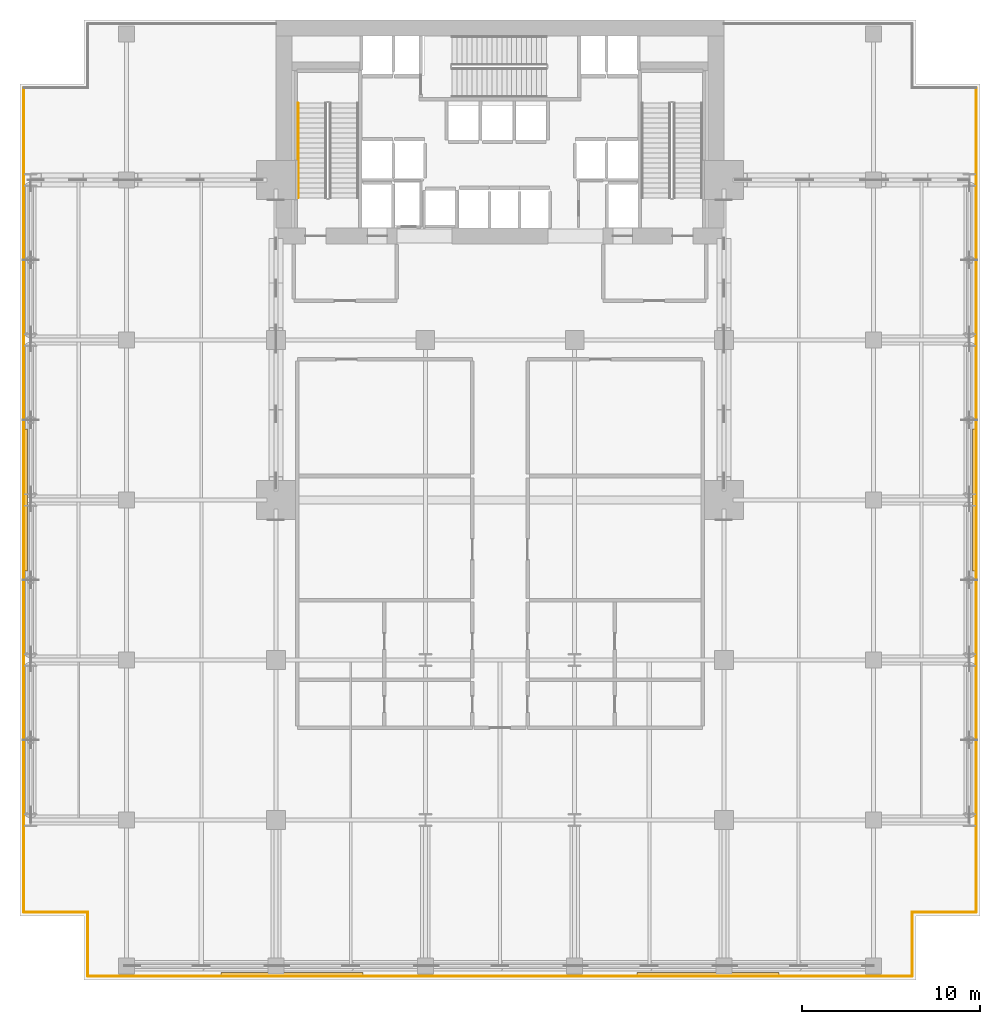
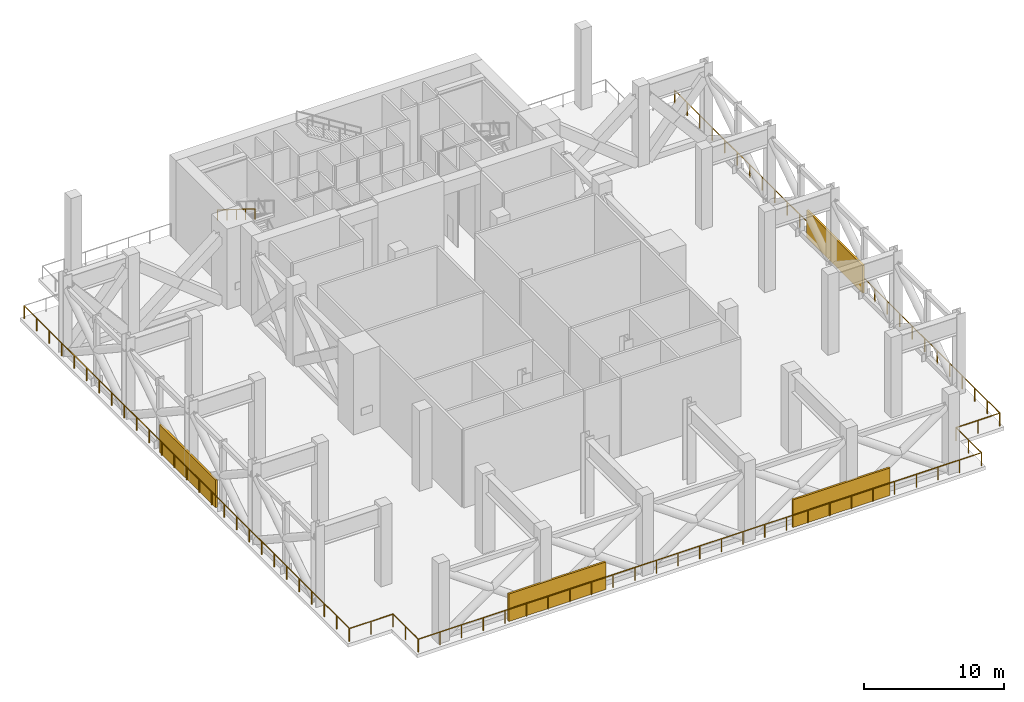
# One storey, part 14 of 16: 8 railings, 4 shading devices.
"""IFC4 building model written with IfcOpenShell, lengths in metres."""

from ifc_helpers import new_model, si_unit, direction, frame, origin, origin_2d, place, context, subcontext, project, spatial, rectangle, circle, extrude, material, layer, layer_set, type_object, element, save


model = new_model("IFC4")

# Units and contexts
model_context = context("Model", 3, precision=1e-05, world=origin(), true_north=direction((0.0, 1.0)))
body_context = subcontext(model_context, "Body", "Model", "MODEL_VIEW")
ifc_project = project(units=[si_unit("LENGTHUNIT", "METRE"), si_unit("AREAUNIT", "SQUARE_METRE"), si_unit("VOLUMEUNIT", "CUBIC_METRE"), si_unit("PLANEANGLEUNIT", "RADIAN"), si_unit("MASSUNIT", "GRAM", prefix="KILO")], contexts=[model_context])

# Site, building, storey
site_placement = place(None, origin())
site = spatial("IfcSite", under=ifc_project, at=site_placement, CompositionType="ELEMENT")
building_placement = place(site_placement, origin())
building = spatial("IfcBuilding", under=site, at=building_placement, Name="Maruvema Waterfront Hotel and Observation Tower", CompositionType="ELEMENT")
storey_placement = place(building_placement, frame((0.0, 0.0, 115.5)))
storey = spatial("IfcBuildingStorey", under=building, at=storey_placement, Name="L28", CompositionType="ELEMENT", Elevation=115.5)

# Shading devices
ifc_material_1 = material(Name="Anodised architectural bronze aluminium", Category="aluminium")
ifc_layer = layer(ifc_material_1, 0.14990234375, Name="Acoustic Weatherproof Plant Louvre Panel 150 mm")
ifc_layer_set = layer_set([ifc_layer], Name="Anodised architectural bronze aluminium")
shading_device_type = type_object("IfcShadingDeviceType", Name="Acoustic Weatherproof Plant Louvre Panel 150 mm", PredefinedType="JALOUSIE", material=ifc_layer_set)
for number, where, z_axis, x_axis, name in (
    (1, (26.10009765625, 0.35009765625, 0.0), (0.0, 0.0, 1.0), (1.0, 0.0, 0.0), "L28 Wind-Floor Acoustic Weather Louvre S1"),
    (2, (49.5, 0.35009765625, 0.0), (0.0, 0.0, 1.0), (1.0, 0.0, 0.0), "L28 Wind-Floor Acoustic Weather Louvre S2"),
    (3, (11.14990234375, 27.0, 0.0), (0.0, 0.0, 1.0), (0.0, 1.0, 0.0), "L28 Wind-Floor Acoustic Weather Louvre W1"),
    (4, (64.449951171875, 27.0, 0.0), (0.0, 0.0, 1.0), (0.0, 1.0, 0.0), "L28 Wind-Floor Acoustic Weather Louvre E1"),
):
    element("IfcShadingDevice", number, at=place(storey_placement, frame(where, z_axis=z_axis, x_axis=x_axis)), inside=storey, type_object=shading_device_type, Name=name, PredefinedType="JALOUSIE", context=body_context, shape_type="SweptSolid", body=[
        extrude(rectangle(XDim=8.0, YDim=0.159912109375, at=origin_2d()), origin(), (0.0, 0.0, 1.0), 2.39990234375),
    ])

# Railings
ifc_material_2 = material(Name="Brushed stainless steel Grade 316", Category="steel")
railing_type_1 = type_object("IfcRailingType", Name="Ramp Continuous Wall Handrail 920 mm", PredefinedType="HANDRAIL", material=ifc_material_2)
railing_1_placement = place(storey_placement, frame((26.449951171875, 49.320068359375, 3.675048828125)))
element("IfcRailing", 5, at=railing_1_placement, inside=storey, type_object=railing_type_1, Name="L28 ST-01 stair handrail 2", PredefinedType="HANDRAIL", context=body_context, shape_type="SweptSolid", body=[
    extrude(circle(Radius=0.02392578125, at=origin_2d()), frame((0.0, 0.0, 0.89599609375), z_axis=(0.0, -0.848004862711, 0.52998844593), x_axis=(1.0, 0.0, 0.0)), (0.0, 0.0, 1.0), 6.273681640625),
    extrude(circle(Radius=0.02099609375, at=origin_2d()), origin(), (0.0, 0.0, 1.0), 0.871826171875),
    extrude(circle(Radius=0.02099609375, at=origin_2d()), frame((0.0, -1.330078125, 0.831298828125)), (0.0, 0.0, 1.0), 0.871826171875),
    extrude(circle(Radius=0.02099609375, at=origin_2d()), frame((0.0, -2.66015625, 1.66259765625)), (0.0, 0.0, 1.0), 0.871826171875),
    extrude(circle(Radius=0.02099609375, at=origin_2d()), frame((0.0, -3.989990234375, 2.49365234375)), (0.0, 0.0, 1.0), 0.871826171875),
    extrude(circle(Radius=0.02099609375, at=origin_2d()), frame((0.0, -5.320068359375, 3.324951171875)), (0.0, 0.0, 1.0), 0.871826171875),
])
ifc_material_3 = material(Name="Duplex stainless steel Grade 2205 and laminated glass", Category="steel")
railing_type_2 = type_object("IfcRailingType", Name="Wind-Floor Open Deck Safety Balustrade 1150 mm", PredefinedType="BALUSTRADE", material=ifc_material_3)
railing_2_placement = place(storey_placement, frame((14.6201171875, 0.219970703125, 0.0)))
element("IfcRailing", 6, at=railing_2_placement, inside=storey, type_object=railing_type_2, Name="L28 Perimeter Safety Balustrade 1", PredefinedType="BALUSTRADE", context=body_context, shape_type="SweptSolid", body=[
    extrude(circle(Radius=0.02392578125, at=origin_2d()), frame((0.0, 0.0, 1.1259765625), z_axis=(0.0, 1.0, 0.0), x_axis=(-1.0, 0.0, 0.0)), (0.0, 0.0, 1.0), 3.60009765625),
    extrude(circle(Radius=0.02099609375, at=origin_2d()), origin(), (0.0, 0.0, 1.0), 1.101806640625),
    extrude(circle(Radius=0.02099609375, at=origin_2d()), frame((0.0, 1.800048828125, 0.0)), (0.0, 0.0, 1.0), 1.101806640625),
    extrude(circle(Radius=0.02099609375, at=origin_2d()), frame((0.0, 3.60009765625, 0.0)), (0.0, 0.0, 1.0), 1.101806640625),
])
railing_3_placement = place(storey_placement, frame((14.6201171875, 3.820068359375, 0.0)))
element("IfcRailing", 7, at=railing_3_placement, inside=storey, type_object=railing_type_2, Name="L28 Perimeter Safety Balustrade 2", PredefinedType="BALUSTRADE", context=body_context, shape_type="SweptSolid", body=[
    extrude(circle(Radius=0.02392578125, at=origin_2d()), frame((0.0, 0.0, 1.1259765625), z_axis=(-1.0, 0.0, 0.0), x_axis=(0.0, -1.0, 0.0)), (0.0, 0.0, 1.0), 3.60009765625),
    extrude(circle(Radius=0.02099609375, at=origin_2d()), origin(), (0.0, 0.0, 1.0), 1.101806640625),
    extrude(circle(Radius=0.02099609375, at=origin_2d()), frame((-1.800048828125, 0.0, 0.0)), (0.0, 0.0, 1.0), 1.101806640625),
    extrude(circle(Radius=0.02099609375, at=origin_2d()), frame((-3.60009765625, 0.0, 0.0)), (0.0, 0.0, 1.0), 1.101806640625),
])
railing_4_placement = place(storey_placement, frame((11.02001953125, 3.820068359375, 0.0)))
element("IfcRailing", 8, at=railing_4_placement, inside=storey, type_object=railing_type_2, Name="L28 Perimeter Safety Balustrade 3", PredefinedType="BALUSTRADE", context=body_context, shape_type="SweptSolid", body=[
    extrude(circle(Radius=0.02392578125, at=origin_2d()), frame((0.0, 0.0, 1.1259765625), z_axis=(0.0, 1.0, 0.0), x_axis=(-1.0, 0.0, 0.0)), (0.0, 0.0, 1.0), 46.35986328125),
    extrude(circle(Radius=0.02099609375, at=origin_2d()), origin(), (0.0, 0.0, 1.0), 1.101806640625),
    extrude(circle(Radius=0.02099609375, at=origin_2d()), frame((0.0, 1.782958984375, 0.0)), (0.0, 0.0, 1.0), 1.101806640625),
    extrude(circle(Radius=0.02099609375, at=origin_2d()), frame((0.0, 3.566162109375, 0.0)), (0.0, 0.0, 1.0), 1.101806640625),
    extrude(circle(Radius=0.02099609375, at=origin_2d()), frame((0.0, 5.34912109375, 0.0)), (0.0, 0.0, 1.0), 1.101806640625),
    extrude(circle(Radius=0.02099609375, at=origin_2d()), frame((0.0, 7.13232421875, 0.0)), (0.0, 0.0, 1.0), 1.101806640625),
    extrude(circle(Radius=0.02099609375, at=origin_2d()), frame((0.0, 8.915283203125, 0.0)), (0.0, 0.0, 1.0), 1.101806640625),
    extrude(circle(Radius=0.02099609375, at=origin_2d()), frame((0.0, 10.698486328125, 0.0)), (0.0, 0.0, 1.0), 1.101806640625),
    extrude(circle(Radius=0.02099609375, at=origin_2d()), frame((0.0, 12.4814453125, 0.0)), (0.0, 0.0, 1.0), 1.101806640625),
    extrude(circle(Radius=0.02099609375, at=origin_2d()), frame((0.0, 14.2646484375, 0.0)), (0.0, 0.0, 1.0), 1.101806640625),
    extrude(circle(Radius=0.02099609375, at=origin_2d()), frame((0.0, 16.047607421875, 0.0)), (0.0, 0.0, 1.0), 1.101806640625),
    extrude(circle(Radius=0.02099609375, at=origin_2d()), frame((0.0, 17.830810546875, 0.0)), (0.0, 0.0, 1.0), 1.101806640625),
    extrude(circle(Radius=0.02099609375, at=origin_2d()), frame((0.0, 19.61376953125, 0.0)), (0.0, 0.0, 1.0), 1.101806640625),
    extrude(circle(Radius=0.02099609375, at=origin_2d()), frame((0.0, 21.39697265625, 0.0)), (0.0, 0.0, 1.0), 1.101806640625),
    extrude(circle(Radius=0.02099609375, at=origin_2d()), frame((0.0, 23.179931640625, 0.0)), (0.0, 0.0, 1.0), 1.101806640625),
    extrude(circle(Radius=0.02099609375, at=origin_2d()), frame((0.0, 24.962890625, 0.0)), (0.0, 0.0, 1.0), 1.101806640625),
    extrude(circle(Radius=0.02099609375, at=origin_2d()), frame((0.0, 26.74609375, 0.0)), (0.0, 0.0, 1.0), 1.101806640625),
    extrude(circle(Radius=0.02099609375, at=origin_2d()), frame((0.0, 28.529052734375, 0.0)), (0.0, 0.0, 1.0), 1.101806640625),
    extrude(circle(Radius=0.02099609375, at=origin_2d()), frame((0.0, 30.312255859375, 0.0)), (0.0, 0.0, 1.0), 1.101806640625),
    extrude(circle(Radius=0.02099609375, at=origin_2d()), frame((0.0, 32.09521484375, 0.0)), (0.0, 0.0, 1.0), 1.101806640625),
    extrude(circle(Radius=0.02099609375, at=origin_2d()), frame((0.0, 33.87841796875, 0.0)), (0.0, 0.0, 1.0), 1.101806640625),
    extrude(circle(Radius=0.02099609375, at=origin_2d()), frame((0.0, 35.661376953125, 0.0)), (0.0, 0.0, 1.0), 1.101806640625),
    extrude(circle(Radius=0.02099609375, at=origin_2d()), frame((0.0, 37.444580078125, 0.0)), (0.0, 0.0, 1.0), 1.101806640625),
    extrude(circle(Radius=0.02099609375, at=origin_2d()), frame((0.0, 39.2275390625, 0.0)), (0.0, 0.0, 1.0), 1.101806640625),
    extrude(circle(Radius=0.02099609375, at=origin_2d()), frame((0.0, 41.0107421875, 0.0)), (0.0, 0.0, 1.0), 1.101806640625),
    extrude(circle(Radius=0.02099609375, at=origin_2d()), frame((0.0, 42.793701171875, 0.0)), (0.0, 0.0, 1.0), 1.101806640625),
    extrude(circle(Radius=0.02099609375, at=origin_2d()), frame((0.0, 44.576904296875, 0.0)), (0.0, 0.0, 1.0), 1.101806640625),
    extrude(circle(Radius=0.02099609375, at=origin_2d()), frame((0.0, 46.35986328125, 0.0)), (0.0, 0.0, 1.0), 1.101806640625),
])
railing_5_placement = place(storey_placement, frame((64.580078125, 50.179931640625, 0.0)))
element("IfcRailing", 9, at=railing_5_placement, inside=storey, type_object=railing_type_2, Name="L28 Perimeter Safety Balustrade 10", PredefinedType="BALUSTRADE", context=body_context, shape_type="SweptSolid", body=[
    extrude(circle(Radius=0.02392578125, at=origin_2d()), frame((0.0, 0.0, 1.1259765625), z_axis=(0.0, -1.0, 0.0), x_axis=(1.0, 0.0, 0.0)), (0.0, 0.0, 1.0), 46.35986328125),
    extrude(circle(Radius=0.02099609375, at=origin_2d()), origin(), (0.0, 0.0, 1.0), 1.101806640625),
    extrude(circle(Radius=0.02099609375, at=origin_2d()), frame((0.0, -1.782958984375, 0.0)), (0.0, 0.0, 1.0), 1.101806640625),
    extrude(circle(Radius=0.02099609375, at=origin_2d()), frame((0.0, -3.566162109375, 0.0)), (0.0, 0.0, 1.0), 1.101806640625),
    extrude(circle(Radius=0.02099609375, at=origin_2d()), frame((0.0, -5.34912109375, 0.0)), (0.0, 0.0, 1.0), 1.101806640625),
    extrude(circle(Radius=0.02099609375, at=origin_2d()), frame((0.0, -7.13232421875, 0.0)), (0.0, 0.0, 1.0), 1.101806640625),
    extrude(circle(Radius=0.02099609375, at=origin_2d()), frame((0.0, -8.915283203125, 0.0)), (0.0, 0.0, 1.0), 1.101806640625),
    extrude(circle(Radius=0.02099609375, at=origin_2d()), frame((0.0, -10.698486328125, 0.0)), (0.0, 0.0, 1.0), 1.101806640625),
    extrude(circle(Radius=0.02099609375, at=origin_2d()), frame((0.0, -12.4814453125, 0.0)), (0.0, 0.0, 1.0), 1.101806640625),
    extrude(circle(Radius=0.02099609375, at=origin_2d()), frame((0.0, -14.2646484375, 0.0)), (0.0, 0.0, 1.0), 1.101806640625),
    extrude(circle(Radius=0.02099609375, at=origin_2d()), frame((0.0, -16.047607421875, 0.0)), (0.0, 0.0, 1.0), 1.101806640625),
    extrude(circle(Radius=0.02099609375, at=origin_2d()), frame((0.0, -17.830810546875, 0.0)), (0.0, 0.0, 1.0), 1.101806640625),
    extrude(circle(Radius=0.02099609375, at=origin_2d()), frame((0.0, -19.61376953125, 0.0)), (0.0, 0.0, 1.0), 1.101806640625),
    extrude(circle(Radius=0.02099609375, at=origin_2d()), frame((0.0, -21.39697265625, 0.0)), (0.0, 0.0, 1.0), 1.101806640625),
    extrude(circle(Radius=0.02099609375, at=origin_2d()), frame((0.0, -23.179931640625, 0.0)), (0.0, 0.0, 1.0), 1.101806640625),
    extrude(circle(Radius=0.02099609375, at=origin_2d()), frame((0.0, -24.962890625, 0.0)), (0.0, 0.0, 1.0), 1.101806640625),
    extrude(circle(Radius=0.02099609375, at=origin_2d()), frame((0.0, -26.74609375, 0.0)), (0.0, 0.0, 1.0), 1.101806640625),
    extrude(circle(Radius=0.02099609375, at=origin_2d()), frame((0.0, -28.529052734375, 0.0)), (0.0, 0.0, 1.0), 1.101806640625),
    extrude(circle(Radius=0.02099609375, at=origin_2d()), frame((0.0, -30.312255859375, 0.0)), (0.0, 0.0, 1.0), 1.101806640625),
    extrude(circle(Radius=0.02099609375, at=origin_2d()), frame((0.0, -32.09521484375, 0.0)), (0.0, 0.0, 1.0), 1.101806640625),
    extrude(circle(Radius=0.02099609375, at=origin_2d()), frame((0.0, -33.87841796875, 0.0)), (0.0, 0.0, 1.0), 1.101806640625),
    extrude(circle(Radius=0.02099609375, at=origin_2d()), frame((0.0, -35.661376953125, 0.0)), (0.0, 0.0, 1.0), 1.101806640625),
    extrude(circle(Radius=0.02099609375, at=origin_2d()), frame((0.0, -37.444580078125, 0.0)), (0.0, 0.0, 1.0), 1.101806640625),
    extrude(circle(Radius=0.02099609375, at=origin_2d()), frame((0.0, -39.2275390625, 0.0)), (0.0, 0.0, 1.0), 1.101806640625),
    extrude(circle(Radius=0.02099609375, at=origin_2d()), frame((0.0, -41.0107421875, 0.0)), (0.0, 0.0, 1.0), 1.101806640625),
    extrude(circle(Radius=0.02099609375, at=origin_2d()), frame((0.0, -42.793701171875, 0.0)), (0.0, 0.0, 1.0), 1.101806640625),
    extrude(circle(Radius=0.02099609375, at=origin_2d()), frame((0.0, -44.576904296875, 0.0)), (0.0, 0.0, 1.0), 1.101806640625),
    extrude(circle(Radius=0.02099609375, at=origin_2d()), frame((0.0, -46.35986328125, 0.0)), (0.0, 0.0, 1.0), 1.101806640625),
])
railing_6_placement = place(storey_placement, frame((64.580078125, 3.820068359375, 0.0)))
element("IfcRailing", 10, at=railing_6_placement, inside=storey, type_object=railing_type_2, Name="L28 Perimeter Safety Balustrade 11", PredefinedType="BALUSTRADE", context=body_context, shape_type="SweptSolid", body=[
    extrude(circle(Radius=0.02392578125, at=origin_2d()), frame((0.0, 0.0, 1.1259765625), z_axis=(-1.0, 0.0, 0.0), x_axis=(0.0, -1.0, 0.0)), (0.0, 0.0, 1.0), 3.60009765625),
    extrude(circle(Radius=0.02099609375, at=origin_2d()), origin(), (0.0, 0.0, 1.0), 1.101806640625),
    extrude(circle(Radius=0.02099609375, at=origin_2d()), frame((-1.800048828125, 0.0, 0.0)), (0.0, 0.0, 1.0), 1.101806640625),
    extrude(circle(Radius=0.02099609375, at=origin_2d()), frame((-3.60009765625, 0.0, 0.0)), (0.0, 0.0, 1.0), 1.101806640625),
])
railing_7_placement = place(storey_placement, frame((60.97998046875, 3.820068359375, 0.0)))
element("IfcRailing", 11, at=railing_7_placement, inside=storey, type_object=railing_type_2, Name="L28 Perimeter Safety Balustrade 12", PredefinedType="BALUSTRADE", context=body_context, shape_type="SweptSolid", body=[
    extrude(circle(Radius=0.02392578125, at=origin_2d()), frame((0.0, 0.0, 1.1259765625), z_axis=(0.0, -1.0, 0.0), x_axis=(1.0, 0.0, 0.0)), (0.0, 0.0, 1.0), 3.60009765625),
    extrude(circle(Radius=0.02099609375, at=origin_2d()), origin(), (0.0, 0.0, 1.0), 1.101806640625),
    extrude(circle(Radius=0.02099609375, at=origin_2d()), frame((0.0, -1.800048828125, 0.0)), (0.0, 0.0, 1.0), 1.101806640625),
    extrude(circle(Radius=0.02099609375, at=origin_2d()), frame((0.0, -3.60009765625, 0.0)), (0.0, 0.0, 1.0), 1.101806640625),
])
railing_8_placement = place(storey_placement, frame((60.97998046875, 0.219970703125, 0.0)))
element("IfcRailing", 12, at=railing_8_placement, inside=storey, type_object=railing_type_2, Name="L28 Perimeter Safety Balustrade 13", PredefinedType="BALUSTRADE", context=body_context, shape_type="SweptSolid", body=[
    extrude(circle(Radius=0.02392578125, at=origin_2d()), frame((0.0, 0.0, 1.1259765625), z_axis=(-1.0, 0.0, 0.0), x_axis=(0.0, -1.0, 0.0)), (0.0, 0.0, 1.0), 46.35986328125),
    extrude(circle(Radius=0.02099609375, at=origin_2d()), origin(), (0.0, 0.0, 1.0), 1.101806640625),
    extrude(circle(Radius=0.02099609375, at=origin_2d()), frame((-1.782958984375, 0.0, 0.0)), (0.0, 0.0, 1.0), 1.101806640625),
    extrude(circle(Radius=0.02099609375, at=origin_2d()), frame((-3.566162109375, 0.0, 0.0)), (0.0, 0.0, 1.0), 1.101806640625),
    extrude(circle(Radius=0.02099609375, at=origin_2d()), frame((-5.34912109375, 0.0, 0.0)), (0.0, 0.0, 1.0), 1.101806640625),
    extrude(circle(Radius=0.02099609375, at=origin_2d()), frame((-7.13232421875, 0.0, 0.0)), (0.0, 0.0, 1.0), 1.101806640625),
    extrude(circle(Radius=0.02099609375, at=origin_2d()), frame((-8.915283203125, 0.0, 0.0)), (0.0, 0.0, 1.0), 1.101806640625),
    extrude(circle(Radius=0.02099609375, at=origin_2d()), frame((-10.698486328125, 0.0, 0.0)), (0.0, 0.0, 1.0), 1.101806640625),
    extrude(circle(Radius=0.02099609375, at=origin_2d()), frame((-12.4814453125, 0.0, 0.0)), (0.0, 0.0, 1.0), 1.101806640625),
    extrude(circle(Radius=0.02099609375, at=origin_2d()), frame((-14.2646484375, 0.0, 0.0)), (0.0, 0.0, 1.0), 1.101806640625),
    extrude(circle(Radius=0.02099609375, at=origin_2d()), frame((-16.047607421875, 0.0, 0.0)), (0.0, 0.0, 1.0), 1.101806640625),
    extrude(circle(Radius=0.02099609375, at=origin_2d()), frame((-17.830810546875, 0.0, 0.0)), (0.0, 0.0, 1.0), 1.101806640625),
    extrude(circle(Radius=0.02099609375, at=origin_2d()), frame((-19.61376953125, 0.0, 0.0)), (0.0, 0.0, 1.0), 1.101806640625),
    extrude(circle(Radius=0.02099609375, at=origin_2d()), frame((-21.39697265625, 0.0, 0.0)), (0.0, 0.0, 1.0), 1.101806640625),
    extrude(circle(Radius=0.02099609375, at=origin_2d()), frame((-23.179931640625, 0.0, 0.0)), (0.0, 0.0, 1.0), 1.101806640625),
    extrude(circle(Radius=0.02099609375, at=origin_2d()), frame((-24.962890625, 0.0, 0.0)), (0.0, 0.0, 1.0), 1.101806640625),
    extrude(circle(Radius=0.02099609375, at=origin_2d()), frame((-26.74609375, 0.0, 0.0)), (0.0, 0.0, 1.0), 1.101806640625),
    extrude(circle(Radius=0.02099609375, at=origin_2d()), frame((-28.529052734375, 0.0, 0.0)), (0.0, 0.0, 1.0), 1.101806640625),
    extrude(circle(Radius=0.02099609375, at=origin_2d()), frame((-30.312255859375, 0.0, 0.0)), (0.0, 0.0, 1.0), 1.101806640625),
    extrude(circle(Radius=0.02099609375, at=origin_2d()), frame((-32.09521484375, 0.0, 0.0)), (0.0, 0.0, 1.0), 1.101806640625),
    extrude(circle(Radius=0.02099609375, at=origin_2d()), frame((-33.87841796875, 0.0, 0.0)), (0.0, 0.0, 1.0), 1.101806640625),
    extrude(circle(Radius=0.02099609375, at=origin_2d()), frame((-35.661376953125, 0.0, 0.0)), (0.0, 0.0, 1.0), 1.101806640625),
    extrude(circle(Radius=0.02099609375, at=origin_2d()), frame((-37.444580078125, 0.0, 0.0)), (0.0, 0.0, 1.0), 1.101806640625),
    extrude(circle(Radius=0.02099609375, at=origin_2d()), frame((-39.2275390625, 0.0, 0.0)), (0.0, 0.0, 1.0), 1.101806640625),
    extrude(circle(Radius=0.02099609375, at=origin_2d()), frame((-41.0107421875, 0.0, 0.0)), (0.0, 0.0, 1.0), 1.101806640625),
    extrude(circle(Radius=0.02099609375, at=origin_2d()), frame((-42.793701171875, 0.0, 0.0)), (0.0, 0.0, 1.0), 1.101806640625),
    extrude(circle(Radius=0.02099609375, at=origin_2d()), frame((-44.576904296875, 0.0, 0.0)), (0.0, 0.0, 1.0), 1.101806640625),
    extrude(circle(Radius=0.02099609375, at=origin_2d()), frame((-46.35986328125, 0.0, 0.0)), (0.0, 0.0, 1.0), 1.101806640625),
])

save(model, "model.ifc")
